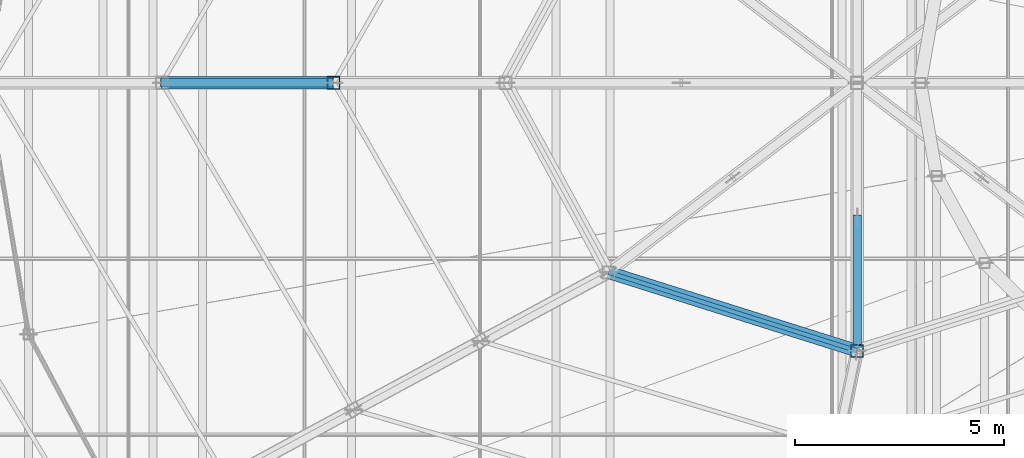
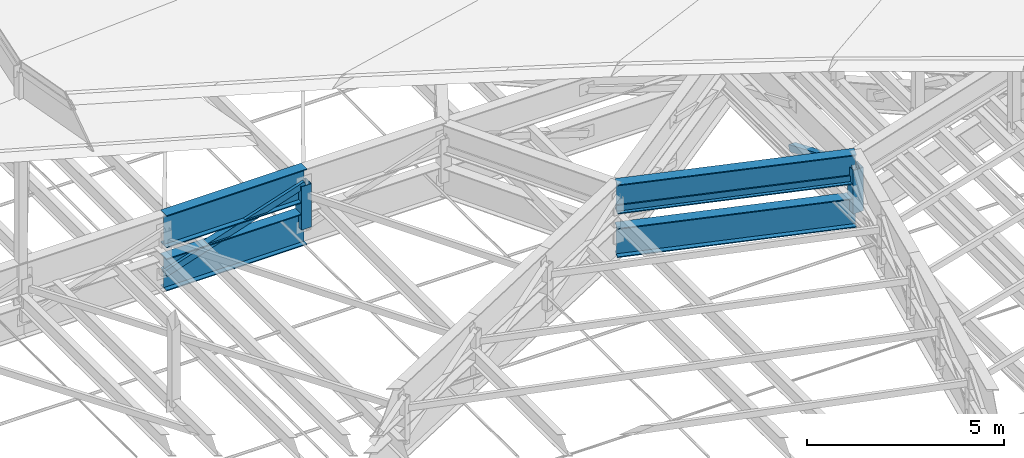
# One storey, part 55 of 184: 5 members, 4 beams.
"""IFC4 building model written with IfcOpenShell, lengths in metres."""

from ifc_helpers import new_model, si_unit, direction, frame, origin, origin_2d, place, context, subcontext, project, spatial, hollow_rectangle, i_section, extrude, material, material_profile, profile_set, type_object, element, save


model = new_model("IFC4")

# Units and contexts
model_context = context("Model", 3, precision=1e-05, world=origin(), true_north=direction((0.0, 1.0)))
body_context = subcontext(model_context, "Body", "Model", "MODEL_VIEW")
ifc_project = project(units=[si_unit("LENGTHUNIT", "METRE"), si_unit("AREAUNIT", "SQUARE_METRE"), si_unit("VOLUMEUNIT", "CUBIC_METRE"), si_unit("PLANEANGLEUNIT", "RADIAN"), si_unit("MASSUNIT", "GRAM", prefix="KILO")], contexts=[model_context])

# Site, building, storey
site_placement = place(None, origin())
site = spatial("IfcSite", under=ifc_project, at=site_placement, CompositionType="ELEMENT")
building_placement = place(site_placement, origin())
building = spatial("IfcBuilding", under=site, at=building_placement, Name="Kalgoora Escarpment Arena", CompositionType="ELEMENT")
storey_placement = place(building_placement, frame((0.0, 0.0, 27.60009765625)))
storey = spatial("IfcBuildingStorey", under=building, at=storey_placement, Name="Roof Level", CompositionType="ELEMENT", Elevation=27.60009765625)

# Beams
ifc_material_1 = material(Name="Structural steel Grade 350 (350 MPa)", Category="steel")
ifc_material_profile_1 = material_profile(ifc_material_1, i_section(OverallWidth=0.300048828125, OverallDepth=0.909912109375, WebThickness=0.011962890625, FlangeThickness=0.028076171875, at=origin_2d()))
ifc_profile_set_1 = profile_set([ifc_material_profile_1], Name="Structural steel Grade 350 (350 MPa)")
beam_type_1 = type_object("IfcBeamType", Name="BM-HUB-RING", PredefinedType="USERDEFINED", material=ifc_profile_set_1)
for number, where, z_axis, x_axis, name in (
    (1, (91.26025390625, 59.474609375, -1.60009765625), (0.953637150893, -0.300958775312, 0.0), (0.300958775312, 0.953637150893, 0.0), "Central ROOF TRUSS hub bottom ring 6"),
    (2, (91.26025390625, 59.474609375, -0.25), (0.953637150893, -0.300958775312, 0.0), (0.300958775312, 0.953637150893, 0.0), "Central ROOF TRUSS hub top ring 6"),
):
    element("IfcBeam", number, at=place(storey_placement, frame(where, z_axis=z_axis, x_axis=x_axis)), inside=storey, type_object=beam_type_1, Name=name, ObjectType="GIRDER", PredefinedType="USERDEFINED", context=body_context, shape_type="SweptSolid", body=[
        extrude(i_section(OverallWidth=0.300048828125, OverallDepth=0.909912109375, WebThickness=0.011962890625, FlangeThickness=0.028076171875, at=origin_2d()), origin(), (0.0, 0.0, 1.0), 6.228515625),
    ])
ifc_material_2 = material(Name="Structural steel Grade 350 (350 MPa)", Category="steel")
ifc_material_profile_2 = material_profile(ifc_material_2, i_section(OverallWidth=0.300048828125, OverallDepth=1.010009765625, WebThickness=0.01611328125, FlangeThickness=0.030029296875, at=origin_2d()))
ifc_profile_set_2 = profile_set([ifc_material_profile_2], Name="Structural steel Grade 350 (350 MPa)")
beam_type_2 = type_object("IfcBeamType", Name="BM-TRUSS-CHORD", PredefinedType="USERDEFINED", material=ifc_profile_set_2)
for number, where, z_axis, x_axis, name in (
    (3, (80.587890625, 64.0, -1.610107421875), (0.999999227238, 0.0, 0.001243191083), (0.0, 1.0, 0.0), "Radial ROOF TRUSS spine 5 bottom chord 10"),
    (4, (80.587890625, 64.0, -0.27001953125), (0.999997054401, 0.0, 0.002427177317), (0.0, 1.0, 0.0), "Radial ROOF TRUSS spine 5 top chord 10"),
):
    element("IfcBeam", number, at=place(storey_placement, frame(where, z_axis=z_axis, x_axis=x_axis)), inside=storey, type_object=beam_type_2, Name=name, ObjectType="GIRDER", PredefinedType="USERDEFINED", context=body_context, shape_type="SweptSolid", body=[
        extrude(i_section(OverallWidth=0.300048828125, OverallDepth=1.010009765625, WebThickness=0.01611328125, FlangeThickness=0.030029296875, at=origin_2d()), origin(), (0.0, 0.0, 1.0), 4.1240234375),
    ])

# Members
ifc_material_3 = material(Name="Structural steel C350 (350 MPa)", Category="steel")
ifc_material_profile_3 = material_profile(ifc_material_3, hollow_rectangle(XDim=0.10009765625, YDim=0.199951171875, WallThickness=0.009033203125, at=origin_2d()))
ifc_profile_set_3 = profile_set([ifc_material_profile_3], Name="Structural steel C350 (350 MPa)")
member_type_1 = type_object("IfcMemberType", Name="MEM-PURLIN-RHS", PredefinedType="PURLIN", material=ifc_profile_set_3)
member_1_placement = place(storey_placement, frame((91.26025390625, 59.474609375, -0.60009765625), z_axis=(0.953637150893, -0.300958775312, 0.0), x_axis=(0.300958775312, 0.953637150893, 0.0)))
element("IfcMember", 5, at=member_1_placement, inside=storey, type_object=member_type_1, Name="Roof circumferential purlin ring 11 sector 6", PredefinedType="PURLIN", context=body_context, shape_type="SweptSolid", body=[
    extrude(hollow_rectangle(XDim=0.10009765625, YDim=0.199951171875, WallThickness=0.009033203125, at=origin_2d()), origin(), (0.0, 0.0, 1.0), 6.228515625),
])
ifc_material_4 = material(Name="Structural steel C350 (350 MPa)", Category="steel")
ifc_material_profile_4 = material_profile(ifc_material_4, hollow_rectangle(XDim=0.199951171875, YDim=0.199951171875, WallThickness=0.009033203125, at=origin_2d()))
ifc_profile_set_4 = profile_set([ifc_material_profile_4], Name="Structural steel C350 (350 MPa)")
member_type_2 = type_object("IfcMemberType", Name="MEM-TRUSS-DIAG", PredefinedType="BRACE", material=ifc_profile_set_4)
member_2_placement = place(storey_placement, frame((97.199951171875, 60.800048828125, -1.60009765625), z_axis=(0.0, -0.921351966387, 0.38872940979), x_axis=(1.0, 0.0, 0.0)))
element("IfcMember", 6, at=member_2_placement, inside=storey, type_object=member_type_2, Name="Central ROOF TRUSS hub web diagonal 3-4", PredefinedType="BRACE", context=body_context, shape_type="SweptSolid", body=[
    extrude(hollow_rectangle(XDim=0.199951171875, YDim=0.199951171875, WallThickness=0.009033203125, at=origin_2d()), origin(), (0.0, 0.0, 1.0), 3.47314453125),
])
member_3_placement = place(storey_placement, frame((80.60009765625, 64.0, -1.610107421875), z_axis=(0.949825228554, 0.0, 0.31278112987), x_axis=(0.0, 1.0, 0.0)))
element("IfcMember", 7, at=member_3_placement, inside=storey, type_object=member_type_2, Name="Radial ROOF TRUSS spine 5 web diagonal 10", PredefinedType="BRACE", context=body_context, shape_type="SweptSolid", body=[
    extrude(hollow_rectangle(XDim=0.199951171875, YDim=0.199951171875, WallThickness=0.009033203125, at=origin_2d()), origin(), (0.0, 0.0, 1.0), 4.31640625),
])
ifc_material_5 = material(Name="Structural steel C450 (450 MPa)", Category="steel")
ifc_material_profile_5 = material_profile(ifc_material_5, hollow_rectangle(XDim=0.300048828125, YDim=0.300048828125, WallThickness=0.012451171875, at=origin_2d()))
ifc_profile_set_5 = profile_set([ifc_material_profile_5], Name="Structural steel C450 (450 MPa)")
member_type_3 = type_object("IfcMemberType", Name="MEM-TRUSS-POST", PredefinedType="POST", material=ifc_profile_set_5)
member_4_placement = place(storey_placement, frame((97.199951171875, 57.60009765625, -1.60009765625), z_axis=(0.0, 0.0, 1.0), x_axis=(1.0, 0.0, 0.0)))
element("IfcMember", 8, at=member_4_placement, inside=storey, type_object=member_type_3, Name="Central ROOF TRUSS hub post 7", PredefinedType="POST", context=body_context, shape_type="SweptSolid", body=[
    extrude(hollow_rectangle(XDim=0.300048828125, YDim=0.300048828125, WallThickness=0.012451171875, at=origin_2d()), origin(), (0.0, 0.0, 1.0), 1.35009765625),
])
member_5_placement = place(storey_placement, frame((84.699951171875, 64.0, -1.60498046875), z_axis=(0.0, 0.0, 1.0), x_axis=(1.0, 0.0, 0.0)))
element("IfcMember", 9, at=member_5_placement, inside=storey, type_object=member_type_3, Name="Radial ROOF TRUSS spine 5 post 10", PredefinedType="POST", context=body_context, shape_type="SweptSolid", body=[
    extrude(hollow_rectangle(XDim=0.300048828125, YDim=0.300048828125, WallThickness=0.012451171875, at=origin_2d()), origin(), (0.0, 0.0, 1.0), 1.344970703125),
])

save(model, "model.ifc")
